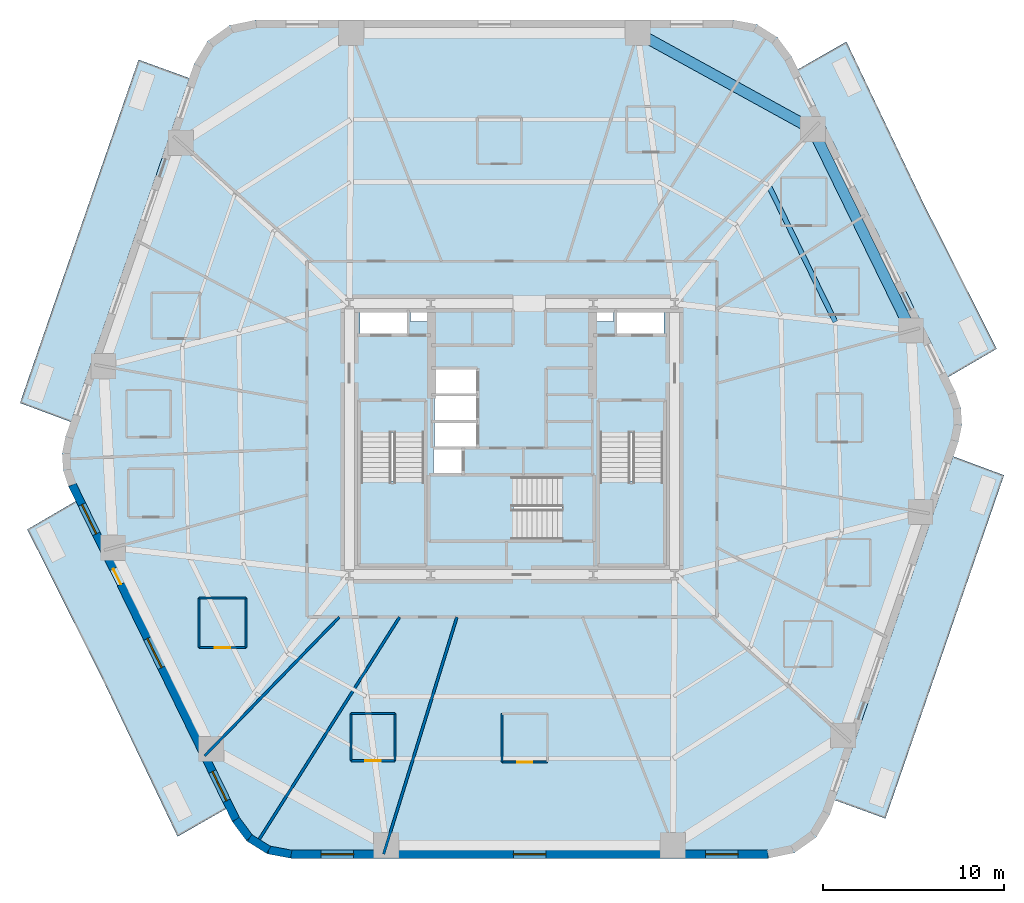
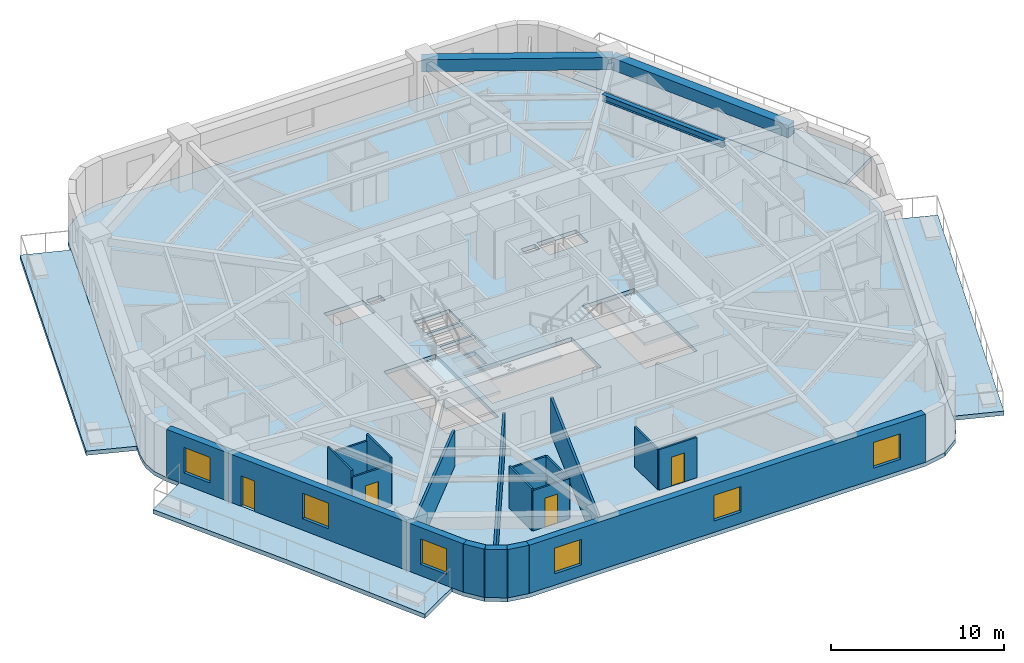
# One storey, part 2 of 10: 18 walls, 8 slabs, 6 windows, 4 doors, 3 beams, 10 openings, 3 elements without a shape of their own.
"""IFC4 building model written with IfcOpenShell, lengths in metres."""

from ifc_helpers import new_model, si_unit, direction, frame, frame_2d, origin, origin_2d, place, context, subcontext, project, spatial, polyline, rectangle, i_section, outline, extrude, material, layer, layer_set, material_profile, profile_set, type_object, element, fill, aggregate, save


model = new_model("IFC4")

# Units and contexts
model_context = context("Model", 3, precision=1e-05, world=origin(), true_north=direction((0.0, 1.0)))
body_context = subcontext(model_context, "Body", "Model", "MODEL_VIEW")
ifc_project = project(units=[si_unit("LENGTHUNIT", "METRE"), si_unit("AREAUNIT", "SQUARE_METRE"), si_unit("VOLUMEUNIT", "CUBIC_METRE"), si_unit("PLANEANGLEUNIT", "RADIAN"), si_unit("MASSUNIT", "GRAM", prefix="KILO")], contexts=[model_context])

# Site, building, storey
site_placement = place(None, origin())
site = spatial("IfcSite", under=ifc_project, at=site_placement, CompositionType="ELEMENT")
building_placement = place(site_placement, origin())
building = spatial("IfcBuilding", under=site, at=building_placement, Name="Kilnhurst Terrace Hotel", CompositionType="ELEMENT")
storey_placement = place(building_placement, frame((0.0, 0.0, 78.60009765625)))
storey = spatial("IfcBuildingStorey", under=building, at=storey_placement, Name="L18", CompositionType="ELEMENT", Elevation=78.60009765625)

# Beams
ifc_material_1 = material(Name="Concrete C50/60", Category="concrete")
ifc_material_profile_1 = material_profile(ifc_material_1, rectangle(XDim=0.60009765625, YDim=0.85009765625, at=origin_2d()), Name="RC600X850")
ifc_profile_set_1 = profile_set([ifc_material_profile_1], Name="Concrete C50/60")
beam_type_1 = type_object("IfcBeamType", Name="BM-SPN-600X850", PredefinedType="SPANDREL", material=ifc_profile_set_1)
beam_1_placement = place(storey_placement, frame((22.083984375, 6.013916015625, 2.974853515625), z_axis=(-0.438922573627, 0.898524888003, 0.0), x_axis=(-0.898524888003, -0.438922573627, 0.0)))
element("IfcBeam", 1, at=beam_1_placement, inside=storey, type_object=beam_type_1, Name="L18 Perimeter Spandrel Beam 5", PredefinedType="SPANDREL", context=body_context, shape_type="SweptSolid", body=[
    extrude(rectangle(XDim=0.60009765625, YDim=0.85009765625, at=origin_2d()), origin(), (0.0, 0.0, 1.0), 12.39599609375),
])
beam_2_placement = place(storey_placement, frame((16.64306640625, 17.152099609375, 2.974853515625), z_axis=(-0.876235488803, 0.481883147829, 0.0), x_axis=(-0.481883147829, -0.876235488803, 0.0)))
element("IfcBeam", 2, at=beam_2_placement, inside=storey, type_object=beam_type_1, Name="L18 Perimeter Spandrel Beam 6", PredefinedType="SPANDREL", context=body_context, shape_type="SweptSolid", body=[
    extrude(rectangle(XDim=0.60009765625, YDim=0.85009765625, at=origin_2d()), origin(), (0.0, 0.0, 1.0), 11.056396484375),
])
ifc_material_2 = material(Name="Steel ASTM A992 Grade 50", Category="steel")
ifc_material_profile_2 = material_profile(ifc_material_2, i_section(OverallWidth=0.279296875, OverallDepth=0.462890625, WebThickness=0.0107421875, FlangeThickness=0.017333984375, at=origin_2d()), Name="W18X76")
ifc_profile_set_2 = profile_set([ifc_material_profile_2], Name="Steel ASTM A992 Grade 50")
beam_type_2 = type_object("IfcBeamType", Name="JST-STL-W18X76", PredefinedType="JOIST", material=ifc_profile_set_2)
beam_3_placement = place(storey_placement, frame((17.897216796875, 6.489501953125, 3.16796875), z_axis=(-0.438934275949, 0.898519171413, 0.0), x_axis=(-0.898519171413, -0.438934275949, 0.0)))
element("IfcBeam", 3, at=beam_3_placement, inside=storey, type_object=beam_type_2, Name="L18 Secondary Floor Steel Joist OUT.5", PredefinedType="JOIST", context=body_context, shape_type="SweptSolid", body=[
    extrude(i_section(OverallWidth=0.279296875, OverallDepth=0.462890625, WebThickness=0.0107421875, FlangeThickness=0.017333984375, at=origin_2d()), origin(), (0.0, 0.0, 1.0), 8.429443359375),
])

# Slabs
ifc_layer_1 = layer(ifc_material_1, 0.300048828125, Name="Concrete C50/60")
ifc_layer_set_1 = layer_set([ifc_layer_1], Name="Concrete C50/60")
slab_type_1 = type_object("IfcSlabType", Name="SLB-BAL-300", PredefinedType="FLOOR", material=ifc_layer_set_1)
slab_1_placement = place(storey_placement, frame((0.0, 0.0, -0.300048828125)))
element("IfcSlab", 4, at=slab_1_placement, inside=storey, type_object=slab_type_1, Name="L18 Cantilevered Planted Terrace Slab BAL-L1A", PredefinedType="FLOOR", context=body_context, shape_type="SweptSolid", body=[
    extrude(outline(polyline([(23.98046875, -11.4296875), (20.670166015625, -21.0), (17.84912109375, -19.975341796875), (24.410888671875, -0.9501953125), (27.23388671875, -2.0), (23.98046875, -11.4296875)])), origin(), (0.0, 0.0, 1.0), 0.300048828125),
])
slab_2_placement = place(storey_placement, frame((0.0, 0.0, -0.300048828125)))
element("IfcSlab", 5, at=slab_2_placement, inside=storey, type_object=slab_type_1, Name="L18 Cantilevered Planted Terrace Slab BAL-L1B", PredefinedType="FLOOR", context=body_context, shape_type="SweptSolid", body=[
    extrude(outline(polyline([(26.830810546875, 5.0), (24.128662109375, 3.42333984375), (15.809814453125, 20.452880859375), (18.509521484375, 22.0), (22.697021484375, 13.21142578125), (26.830810546875, 5.0)])), origin(), (0.0, 0.0, 1.0), 0.300048828125),
])
slab_3_placement = place(storey_placement, frame((0.0, 0.0, -0.300048828125)))
element("IfcSlab", 6, at=slab_3_placement, inside=storey, type_object=slab_type_1, Name="L18 Cantilevered Planted Terrace Slab BAL-L2A", PredefinedType="FLOOR", context=body_context, shape_type="SweptSolid", body=[
    extrude(outline(polyline([(-20.670166015625, 21.0), (-17.84912109375, 19.975341796875), (-24.410888671875, 0.9501953125), (-27.23388671875, 2.0), (-23.98046875, 11.4296875), (-20.670166015625, 21.0)])), origin(), (0.0, 0.0, 1.0), 0.300048828125),
])
slab_4_placement = place(storey_placement, frame((0.0, 0.0, -0.300048828125)))
element("IfcSlab", 7, at=slab_4_placement, inside=storey, type_object=slab_type_1, Name="L18 Cantilevered Planted Terrace Slab BAL-L2B", PredefinedType="FLOOR", context=body_context, shape_type="SweptSolid", body=[
    extrude(outline(polyline([(-26.830810546875, -5.0), (-24.128662109375, -3.42333984375), (-15.809814453125, -20.452880859375), (-18.509521484375, -22.0), (-22.697021484375, -13.21142578125), (-26.830810546875, -5.0)])), origin(), (0.0, 0.0, 1.0), 0.300048828125),
])
ifc_layer_2 = layer(ifc_material_1, 0.280029296875, Name="Concrete C50/60")
ifc_layer_set_2 = layer_set([ifc_layer_2], Name="Concrete C50/60")
slab_type_2 = type_object("IfcSlabType", Name="SLB-FLR-280", PredefinedType="FLOOR", material=ifc_layer_set_2)
slab_5_placement = place(storey_placement, frame((0.0, 0.0, -0.280029296875)))
element("IfcSlab", 8, at=slab_5_placement, inside=storey, type_object=slab_type_2, Name="L18 Structural Floor Slab", PredefinedType="FLOOR", context=body_context, shape_type="SweptSolid", body=[
    extrude(outline(polyline([(-15.476806640625, -21.18017578125), (-14.680908203125, -22.248046875), (-13.551025390625, -22.95361328125), (-12.241943359375, -23.199951171875), (14.191650390625, -23.199951171875), (15.635986328125, -22.8974609375), (16.837890625, -22.040771484375), (17.5947265625, -20.773681640625), (24.712890625, -0.135986328125), (24.90087890625, 0.7861328125), (24.843505859375, 1.7255859375), (24.54443359375, 2.617919921875), (15.476806640625, 21.18017578125), (14.680908203125, 22.248046875), (13.551025390625, 22.95361328125), (12.241943359375, 23.199951171875), (-14.191650390625, 23.199951171875), (-15.635986328125, 22.8974609375), (-16.837890625, 22.040771484375), (-17.5947265625, 20.773681640625), (-24.712890625, 0.135986328125), (-24.90087890625, -0.7861328125), (-24.843505859375, -1.7255859375), (-24.54443359375, -2.617919921875), (-15.476806640625, -21.18017578125)]), holes=[polyline([(-8.35009765625, 0.35498046875), (-4.8798828125, 0.35498046875), (-4.8798828125, -6.89990234375), (-8.35009765625, -6.89990234375), (-8.35009765625, 0.35498046875)]), polyline([(-2.800048828125, -1.89990234375), (-4.35009765625, -1.89990234375), (-4.35009765625, -0.550048828125), (-2.800048828125, -0.550048828125), (-2.800048828125, -1.89990234375)]), polyline([(-1.949951171875, -0.429931640625), (-4.300048828125, -0.429931640625), (-4.300048828125, 0.89990234375), (-1.949951171875, 0.89990234375), (-1.949951171875, -0.429931640625)]), polyline([(-4.300048828125, 1.050048828125), (-4.300048828125, 2.3798828125), (-1.949951171875, 2.3798828125), (-1.949951171875, 1.050048828125), (-4.300048828125, 1.050048828125)]), polyline([(-8.39990234375, 5.75), (-8.39990234375, 7.14990234375), (-5.800048828125, 7.14990234375), (-5.800048828125, 5.75), (-8.39990234375, 5.75)]), polyline([(-4.659912109375, 6.52001953125), (-5.6201171875, 6.52001953125), (-5.6201171875, 7.080078125), (-4.659912109375, 7.080078125), (-4.659912109375, 6.52001953125)]), polyline([(2.7548828125, -5.550048828125), (-4.5, -5.550048828125), (-4.5, -2.080078125), (2.7548828125, -2.080078125), (2.7548828125, -5.550048828125)]), polyline([(8.35009765625, 0.35498046875), (8.35009765625, -6.89990234375), (4.8798828125, -6.89990234375), (4.8798828125, 0.35498046875), (8.35009765625, 0.35498046875)]), polyline([(-1.949951171875, 2.530029296875), (-4.300048828125, 2.530029296875), (-4.300048828125, 3.860107421875), (-1.949951171875, 3.860107421875), (-1.949951171875, 2.530029296875)]), polyline([(5.800048828125, 5.75), (5.800048828125, 7.14990234375), (8.39990234375, 7.14990234375), (8.39990234375, 5.75), (5.800048828125, 5.75)]), polyline([(4.659912109375, 6.52001953125), (4.659912109375, 7.080078125), (5.6201171875, 7.080078125), (5.6201171875, 6.52001953125), (4.659912109375, 6.52001953125)])]), origin(), (0.0, 0.0, 1.0), 0.280029296875),
])

# Stair, slab
stair_type = type_object("IfcStairType", Name="STR-CORE-1660", PredefinedType="HALF_TURN_STAIR", material=ifc_material_1)
stair_1_placement = place(storey_placement, origin())
stair_1 = element("IfcStair", 9, at=stair_1_placement, inside=storey, type_object=stair_type, Name="L18 ST-1", PredefinedType="HALF_TURN_STAIR")
ifc_layer_3 = layer(ifc_material_1, 0.199951171875, Name="Concrete C50/60")
ifc_layer_set_3 = layer_set([ifc_layer_3], Name="Concrete C50/60")
slab_type_3 = type_object("IfcSlabType", Name="SLB-ST-LND-200", PredefinedType="LANDING", material=ifc_layer_set_3)
slab_6_placement = place(storey_placement, frame((0.0, 0.0, 1.64990234375)))
slab_6 = element("IfcSlab", 10, at=slab_6_placement, type_object=slab_type_3, Name="ST-1 landing 1", PredefinedType="LANDING", context=body_context, shape_type="SweptSolid", body=[
    extrude(outline(polyline([(-8.429931640625, -2.330078125), (-4.800048828125, -2.330078125), (-4.800048828125, -6.97998046875), (-8.429931640625, -6.97998046875), (-8.429931640625, -2.330078125)])), origin(), (0.0, 0.0, 1.0), 0.199951171875),
])
aggregate(stair_1, [slab_6])

stair_2_placement = place(storey_placement, origin())
stair_2 = element("IfcStair", 11, at=stair_2_placement, inside=storey, type_object=stair_type, Name="L18 ST-2", PredefinedType="HALF_TURN_STAIR")
slab_7_placement = place(storey_placement, frame((0.0, 0.0, 1.64990234375)))
slab_7 = element("IfcSlab", 12, at=slab_7_placement, type_object=slab_type_3, Name="ST-2 landing 1", PredefinedType="LANDING", context=body_context, shape_type="SweptSolid", body=[
    extrude(outline(polyline([(4.800048828125, -2.330078125), (8.429931640625, -2.330078125), (8.429931640625, -6.97998046875), (4.800048828125, -6.97998046875), (4.800048828125, -2.330078125)])), origin(), (0.0, 0.0, 1.0), 0.199951171875),
])
aggregate(stair_2, [slab_7])

stair_3_placement = place(storey_placement, origin())
stair_3 = element("IfcStair", 13, at=stair_3_placement, inside=storey, type_object=stair_type, Name="L18 ST-3", PredefinedType="HALF_TURN_STAIR")
slab_8_placement = place(storey_placement, frame((0.0, 0.0, 1.64990234375)))
slab_8 = element("IfcSlab", 14, at=slab_8_placement, type_object=slab_type_3, Name="ST-3 landing 1", PredefinedType="LANDING", context=body_context, shape_type="SweptSolid", body=[
    extrude(outline(polyline([(0.070068359375, -2.0), (0.070068359375, -5.6298828125), (-4.580078125, -5.6298828125), (-4.580078125, -2.0), (0.070068359375, -2.0)])), origin(), (0.0, 0.0, 1.0), 0.199951171875),
])
aggregate(stair_3, [slab_8])

# Walls
ifc_material_3 = material(Name="Precast concrete C40/50", Category="concrete")
ifc_layer_4 = layer(ifc_material_3, 0.449951171875, Name="Precast concrete C40/50")
ifc_layer_set_4 = layer_set([ifc_layer_4], Name="Precast concrete C40/50")
wall_type_1 = type_object("IfcWallType", Name="WL-BRK-450", PredefinedType="SOLIDWALL", material=ifc_layer_set_4)
wall_1_placement = place(storey_placement, frame((-15.28369140625, -21.0625, 0.0), z_axis=(0.0, 0.0, 1.0), x_axis=(0.597595366449, -0.801797841104, 0.0)))
element("IfcWall", 15, at=wall_1_placement, inside=storey, type_object=wall_type_1, Name="L18 Rounded Corner Brick Wall C1.1", PredefinedType="SOLIDWALL", context=body_context, shape_type="SweptSolid", body=[
    extrude(rectangle(XDim=1.2685546875, YDim=0.449951171875, at=frame_2d((0.63427734375, 0.0))), origin(), (0.0, 0.0, 1.0), 3.39990234375),
])
wall_2_placement = place(storey_placement, frame((-14.525634765625, -22.07958984375, 0.0), z_axis=(0.0, 0.0, 1.0), x_axis=(0.848185203596, -0.529699783275, 0.0)))
element("IfcWall", 16, at=wall_2_placement, inside=storey, type_object=wall_type_1, Name="L18 Rounded Corner Brick Wall C1.2", PredefinedType="SOLIDWALL", context=body_context, shape_type="SweptSolid", body=[
    extrude(rectangle(XDim=1.247314453125, YDim=0.449951171875, at=frame_2d((0.62353515625, 0.0))), origin(), (0.0, 0.0, 1.0), 3.39990234375),
])
wall_3_placement = place(storey_placement, frame((-13.4677734375, -22.740234375, 0.0), z_axis=(0.0, 0.0, 1.0), x_axis=(0.982717174228, -0.185113358451, 0.0)))
element("IfcWall", 17, at=wall_3_placement, inside=storey, type_object=wall_type_1, Name="L18 Rounded Corner Brick Wall C1.3", PredefinedType="SOLIDWALL", context=body_context, shape_type="SweptSolid", body=[
    extrude(rectangle(XDim=1.268798828125, YDim=0.449951171875, at=frame_2d((0.63427734375, 0.0))), origin(), (0.0, 0.0, 1.0), 3.39990234375),
])

# Wall, openings, windows
wall_4_placement = place(storey_placement, frame((-12.220947265625, -22.97509765625, 0.0), z_axis=(0.0, 0.0, 1.0), x_axis=(1.0, 0.0, 0.0)))
wall_4 = element("IfcWall", 18, at=wall_4_placement, inside=storey, type_object=wall_type_1, Name="L18 Exterior Brick Facade Wall F1", PredefinedType="SOLIDWALL", context=body_context, shape_type="SweptSolid", body=[
    extrude(rectangle(XDim=26.38916015625, YDim=0.449951171875, at=frame_2d((13.194580078125, 0.0))), origin(), (0.0, 0.0, 1.0), 3.39990234375),
])
opening_1_placement = place(wall_4_placement, frame((1.653076171875, 0.0, 0.800048828125)))
opening_1 = element("IfcOpeningElement", 19, at=opening_1_placement, cuts=wall_4, Name="Opening W-01", PredefinedType="OPENING", context=body_context, shape_type="SweptSolid", body=[
    extrude(rectangle(XDim=1.800048828125, YDim=1.800048828125, at=frame_2d((0.89990234375, 0.89990234375))), frame((0.0, 0.23486328125, 0.0), z_axis=(0.0, -1.0, 0.0), x_axis=(1.0, 0.0, 0.0)), (0.0, 0.0, 1.0), 0.469970703125),
])
opening_2_placement = place(wall_4_placement, frame((12.2958984375, 0.0, 0.800048828125)))
opening_2 = element("IfcOpeningElement", 20, at=opening_2_placement, cuts=wall_4, Name="Opening W-01", PredefinedType="OPENING", context=body_context, shape_type="SweptSolid", body=[
    extrude(rectangle(XDim=1.800048828125, YDim=1.800048828125, at=frame_2d((0.89990234375, 0.89990234375))), frame((0.0, 0.23486328125, 0.0), z_axis=(0.0, -1.0, 0.0), x_axis=(1.0, 0.0, 0.0)), (0.0, 0.0, 1.0), 0.469970703125),
])
opening_3_placement = place(wall_4_placement, frame((22.93798828125, 0.0, 0.800048828125)))
opening_3 = element("IfcOpeningElement", 21, at=opening_3_placement, cuts=wall_4, Name="Opening W-01", PredefinedType="OPENING", context=body_context, shape_type="SweptSolid", body=[
    extrude(rectangle(XDim=1.800048828125, YDim=1.800048828125, at=frame_2d((0.89990234375, 0.89990234375))), frame((0.0, 0.23486328125, 0.0), z_axis=(0.0, -1.0, 0.0), x_axis=(1.0, 0.0, 0.0)), (0.0, 0.0, 1.0), 0.469970703125),
])
ifc_material_4 = material(Name="Thermally Broken Bronze Aluminium Alloy 6063-T6 and Low-E Glass", Category="aluminium")
window_type = type_object("IfcWindowType", Name="WIN-1800X1800", PartitioningType="SINGLE_PANEL", PredefinedType="WINDOW", material=ifc_material_4)
window_1_placement = place(opening_1_placement, origin())
window_1 = element("IfcWindow", 22, at=window_1_placement, inside=storey, type_object=window_type, Name="L18 Deep-Set Masonry Window F1.1", OverallHeight=1.800048828125, OverallWidth=1.800048828125, PartitioningType="SINGLE_PANEL", PredefinedType="WINDOW", context=body_context, shape_type="SweptSolid", body=[
    extrude(rectangle(XDim=1.800048828125, YDim=1.800048828125, at=frame_2d((0.89990234375, 0.89990234375))), frame((0.0, 0.030029296875, 0.0), z_axis=(0.0, -1.0, 0.0), x_axis=(1.0, 0.0, 0.0)), (0.0, 0.0, 1.0), 0.06005859375),
])
fill(opening_1, window_1)
window_2_placement = place(opening_2_placement, origin())
window_2 = element("IfcWindow", 23, at=window_2_placement, inside=storey, type_object=window_type, Name="L18 Deep-Set Masonry Window F1.2", OverallHeight=1.800048828125, OverallWidth=1.800048828125, PartitioningType="SINGLE_PANEL", PredefinedType="WINDOW", context=body_context, shape_type="SweptSolid", body=[
    extrude(rectangle(XDim=1.800048828125, YDim=1.800048828125, at=frame_2d((0.89990234375, 0.89990234375))), frame((0.0, 0.030029296875, 0.0), z_axis=(0.0, -1.0, 0.0), x_axis=(1.0, 0.0, 0.0)), (0.0, 0.0, 1.0), 0.06005859375),
])
fill(opening_2, window_2)
window_3_placement = place(opening_3_placement, origin())
window_3 = element("IfcWindow", 24, at=window_3_placement, inside=storey, type_object=window_type, Name="L18 Deep-Set Masonry Window F1.3", OverallHeight=1.800048828125, OverallWidth=1.800048828125, PartitioningType="SINGLE_PANEL", PredefinedType="WINDOW", context=body_context, shape_type="SweptSolid", body=[
    extrude(rectangle(XDim=1.800048828125, YDim=1.800048828125, at=frame_2d((0.89990234375, 0.89990234375))), frame((0.0, 0.030029296875, 0.0), z_axis=(0.0, -1.0, 0.0), x_axis=(1.0, 0.0, 0.0)), (0.0, 0.0, 1.0), 0.06005859375),
])
fill(opening_3, window_3)

# Wall, openings, door, windows
wall_5_placement = place(storey_placement, frame((-24.335693359375, -2.532470703125, 0.0), z_axis=(0.0, 0.0, 1.0), x_axis=(0.438931326393, -0.898520612291, 0.0)))
wall_5 = element("IfcWall", 25, at=wall_5_placement, inside=storey, type_object=wall_type_1, Name="L18 Exterior Brick Facade Wall F6", PredefinedType="SOLIDWALL", context=body_context, shape_type="SweptSolid", body=[
    extrude(rectangle(XDim=20.622802734375, YDim=0.449951171875, at=frame_2d((10.3115234375, 0.0))), origin(), (0.0, 0.0, 1.0), 3.39990234375),
])
opening_4_placement = place(wall_5_placement, frame((5.1708984375, 0.0, 0.0)))
opening_4 = element("IfcOpeningElement", 26, at=opening_4_placement, cuts=wall_5, Name="Opening BD-950", PredefinedType="OPENING", context=body_context, shape_type="SweptSolid", body=[
    extrude(rectangle(XDim=0.949951171875, YDim=2.14990234375, at=frame_2d((0.47509765625, 1.074951171875))), frame((0.0, 0.23486328125, 0.0), z_axis=(0.0, -1.0, 0.0), x_axis=(1.0, 0.0, 0.0)), (0.0, 0.0, 1.0), 0.469970703125),
])
opening_5_placement = place(wall_5_placement, frame((1.214111328125, 0.0, 0.800048828125)))
opening_5 = element("IfcOpeningElement", 27, at=opening_5_placement, cuts=wall_5, Name="Opening W-01", PredefinedType="OPENING", context=body_context, shape_type="SweptSolid", body=[
    extrude(rectangle(XDim=1.800048828125, YDim=1.800048828125, at=frame_2d((0.89990234375, 0.89990234375))), frame((0.0, 0.23486328125, 0.0), z_axis=(0.0, -1.0, 0.0), x_axis=(1.0, 0.0, 0.0)), (0.0, 0.0, 1.0), 0.469970703125),
])
opening_6_placement = place(wall_5_placement, frame((9.4619140625, 0.0, 0.800048828125)))
opening_6 = element("IfcOpeningElement", 28, at=opening_6_placement, cuts=wall_5, Name="Opening W-01", PredefinedType="OPENING", context=body_context, shape_type="SweptSolid", body=[
    extrude(rectangle(XDim=1.800048828125, YDim=1.800048828125, at=frame_2d((0.89990234375, 0.89990234375))), frame((0.0, 0.23486328125, 0.0), z_axis=(0.0, -1.0, 0.0), x_axis=(1.0, 0.0, 0.0)), (0.0, 0.0, 1.0), 0.469970703125),
])
opening_7_placement = place(wall_5_placement, frame((17.659912109375, 0.0, 0.800048828125)))
opening_7 = element("IfcOpeningElement", 29, at=opening_7_placement, cuts=wall_5, Name="Opening W-01", PredefinedType="OPENING", context=body_context, shape_type="SweptSolid", body=[
    extrude(rectangle(XDim=1.800048828125, YDim=1.800048828125, at=frame_2d((0.89990234375, 0.89990234375))), frame((0.0, 0.23486328125, 0.0), z_axis=(0.0, -1.0, 0.0), x_axis=(1.0, 0.0, 0.0)), (0.0, 0.0, 1.0), 0.469970703125),
])
ifc_material_5 = material(Name="Thermally Broken Bronze Aluminium Alloy 6063-T6 and Laminated Glass", Category="aluminium")
door_type_1 = type_object("IfcDoorType", Name="DR-EXT-BAL-950", OperationType="NOTDEFINED", PredefinedType="DOOR", material=ifc_material_5)
door_1_placement = place(opening_4_placement, origin())
door_1 = element("IfcDoor", 30, at=door_1_placement, inside=storey, type_object=door_type_1, Name="L18 Planted Balcony Door BAL-L2B", OperationType="SINGLE_SWING_RIGHT", OverallHeight=2.14990234375, OverallWidth=0.949951171875, PredefinedType="DOOR", context=body_context, shape_type="SweptSolid", body=[
    extrude(rectangle(XDim=0.949951171875, YDim=2.14990234375, at=frame_2d((0.47509765625, 1.074951171875))), frame((0.0, 0.02490234375, 0.0), z_axis=(0.0, -1.0, 0.0), x_axis=(1.0, 0.0, 0.0)), (0.0, 0.0, 1.0), 0.050048828125),
])
fill(opening_4, door_1)
window_4_placement = place(opening_5_placement, origin())
window_4 = element("IfcWindow", 31, at=window_4_placement, inside=storey, type_object=window_type, Name="L18 Deep-Set Masonry Window F6.1", OverallHeight=1.800048828125, OverallWidth=1.800048828125, PartitioningType="SINGLE_PANEL", PredefinedType="WINDOW", context=body_context, shape_type="SweptSolid", body=[
    extrude(rectangle(XDim=1.800048828125, YDim=1.800048828125, at=frame_2d((0.89990234375, 0.89990234375))), frame((0.0, 0.030029296875, 0.0), z_axis=(0.0, -1.0, 0.0), x_axis=(1.0, 0.0, 0.0)), (0.0, 0.0, 1.0), 0.06005859375),
])
fill(opening_5, window_4)
window_5_placement = place(opening_6_placement, origin())
window_5 = element("IfcWindow", 32, at=window_5_placement, inside=storey, type_object=window_type, Name="L18 Deep-Set Masonry Window F6.2", OverallHeight=1.800048828125, OverallWidth=1.800048828125, PartitioningType="SINGLE_PANEL", PredefinedType="WINDOW", context=body_context, shape_type="SweptSolid", body=[
    extrude(rectangle(XDim=1.800048828125, YDim=1.800048828125, at=frame_2d((0.89990234375, 0.89990234375))), frame((0.0, 0.030029296875, 0.0), z_axis=(0.0, -1.0, 0.0), x_axis=(1.0, 0.0, 0.0)), (0.0, 0.0, 1.0), 0.06005859375),
])
fill(opening_6, window_5)
window_6_placement = place(opening_7_placement, origin())
window_6 = element("IfcWindow", 33, at=window_6_placement, inside=storey, type_object=window_type, Name="L18 Deep-Set Masonry Window F6.3", OverallHeight=1.800048828125, OverallWidth=1.800048828125, PartitioningType="SINGLE_PANEL", PredefinedType="WINDOW", context=body_context, shape_type="SweptSolid", body=[
    extrude(rectangle(XDim=1.800048828125, YDim=1.800048828125, at=frame_2d((0.89990234375, 0.89990234375))), frame((0.0, 0.030029296875, 0.0), z_axis=(0.0, -1.0, 0.0), x_axis=(1.0, 0.0, 0.0)), (0.0, 0.0, 1.0), 0.06005859375),
])
fill(opening_7, window_6)

# Walls
ifc_material_6 = material(Name="STC-58 Acoustic Twin-Frame Guestroom Demising Partition")
ifc_layer_5 = layer(ifc_material_6, 0.14990234375, Name="STC-58 Acoustic Twin-Frame Guestroom Demising Partition")
ifc_layer_set_5 = layer_set([ifc_layer_5], Name="STC-58 Acoustic Twin-Frame Guestroom Demising Partition")
wall_type_2 = type_object("IfcWallType", Name="WL-DEM-150", PredefinedType="PARTITIONING", material=ifc_layer_set_5)
wall_6_placement = place(storey_placement, frame((-9.5576171875, -9.85009765625, 0.0), z_axis=(0.0, 0.0, 1.0), x_axis=(-0.69638346089, -0.717669893056, 0.0)))
element("IfcWall", 34, at=wall_6_placement, inside=storey, type_object=wall_type_2, Name="L18 Interior Wall WL-L18-DEM-COL08-12-1", PredefinedType="PARTITIONING", context=body_context, shape_type="SweptSolid", body=[
    extrude(rectangle(XDim=10.700927734375, YDim=0.14990234375, at=frame_2d((5.3505859375, 0.0))), origin(), (0.0, 0.0, 1.0), 2.539794921875),
])
wall_7_placement = place(storey_placement, frame((-6.222412109375, -9.85009765625, 0.0), z_axis=(0.0, 0.0, 1.0), x_axis=(-0.534069056435, -0.845440857162, 0.0)))
element("IfcWall", 35, at=wall_7_placement, inside=storey, type_object=wall_type_2, Name="L18 Interior Wall WL-L18-DEM-MID08-13-1", PredefinedType="PARTITIONING", context=body_context, shape_type="SweptSolid", body=[
    extrude(rectangle(XDim=14.611328125, YDim=0.14990234375, at=frame_2d((7.3056640625, 0.0))), origin(), (0.0, 0.0, 1.0), 2.539794921875),
])
wall_8_placement = place(storey_placement, frame((-3.047607421875, -9.85009765625, 0.0), z_axis=(0.0, 0.0, 1.0), x_axis=(-0.295553992761, -0.955326037206, 0.0)))
element("IfcWall", 36, at=wall_8_placement, inside=storey, type_object=wall_type_2, Name="L18 Interior Wall WL-L18-DEM-COL09-14-1", PredefinedType="PARTITIONING", context=body_context, shape_type="SweptSolid", body=[
    extrude(rectangle(XDim=13.73876953125, YDim=0.14990234375, at=frame_2d((6.869384765625, 0.0))), origin(), (0.0, 0.0, 1.0), 2.539794921875),
])

# Wall, opening, door
ifc_material_7 = material(Name="120 mm Moisture-Resistant Tile-Backed Bathroom Partition")
ifc_layer_6 = layer(ifc_material_7, 0.1201171875, Name="120 mm Moisture-Resistant Tile-Backed Bathroom Partition")
ifc_layer_set_6 = layer_set([ifc_layer_6], Name="120 mm Moisture-Resistant Tile-Backed Bathroom Partition")
wall_type_3 = type_object("IfcWallType", Name="WL-PART-120", PredefinedType="PARTITIONING", material=ifc_layer_set_6)
wall_9_placement = place(storey_placement, frame((-17.323974609375, -11.5400390625, 0.0), z_axis=(0.0, 0.0, 1.0), x_axis=(1.0, 0.0, 0.0)))
wall_9 = element("IfcWall", 37, at=wall_9_placement, inside=storey, type_object=wall_type_3, Name="L18 Interior Wall WL-L18-BTH-11-1", PredefinedType="PARTITIONING", context=body_context, shape_type="SweptSolid", body=[
    extrude(rectangle(XDim=2.599853515625, YDim=0.1201171875, at=frame_2d((1.2998046875, 0.0))), origin(), (0.0, 0.0, 1.0), 2.926513671875),
])
opening_8_placement = place(wall_9_placement, frame((0.875, 0.0, 0.0)))
opening_8 = element("IfcOpeningElement", 38, at=opening_8_placement, cuts=wall_9, Name="Opening D-08A", PredefinedType="OPENING", context=body_context, shape_type="SweptSolid", body=[
    extrude(rectangle(XDim=0.85009765625, YDim=2.030029296875, at=frame_2d((0.425048828125, 1.01513671875))), frame((0.0, 0.070068359375, 0.0), z_axis=(0.0, -1.0, 0.0), x_axis=(1.0, 0.0, 0.0)), (0.0, 0.0, 1.0), 0.14013671875),
])
ifc_material_8 = material(Name="Moisture-Resistant Lacquered En-suite Bathroom Door")
door_type_2 = type_object("IfcDoorType", Name="DR-INT-850", OperationType="NOTDEFINED", PredefinedType="DOOR", material=ifc_material_8)
door_2_placement = place(opening_8_placement, origin())
door_2 = element("IfcDoor", 39, at=door_2_placement, inside=storey, type_object=door_type_2, Name="L18 En-suite Bathroom Door 11", OperationType="SINGLE_SWING_RIGHT", OverallHeight=2.030029296875, OverallWidth=0.85009765625, PredefinedType="DOOR", context=body_context, shape_type="SweptSolid", body=[
    extrude(rectangle(XDim=0.85009765625, YDim=2.030029296875, at=frame_2d((0.425048828125, 1.01513671875))), frame((0.0, 0.02490234375, 0.0), z_axis=(0.0, -1.0, 0.0), x_axis=(1.0, 0.0, 0.0)), (0.0, 0.0, 1.0), 0.050048828125),
])
fill(opening_8, door_2)

# Walls
wall_10_placement = place(storey_placement, frame((-14.72412109375, -11.5400390625, 0.0), z_axis=(0.0, 0.0, 1.0), x_axis=(0.0, 1.0, 0.0)))
element("IfcWall", 40, at=wall_10_placement, inside=storey, type_object=wall_type_3, Name="L18 Interior Wall WL-L18-BTH-11-2", PredefinedType="PARTITIONING", context=body_context, shape_type="SweptSolid", body=[
    extrude(rectangle(XDim=2.75, YDim=0.1201171875, at=frame_2d((1.375, 0.0))), origin(), (0.0, 0.0, 1.0), 3.39990234375),
])
wall_11_placement = place(storey_placement, frame((-14.72412109375, -8.7900390625, 0.0), z_axis=(0.0, 0.0, 1.0), x_axis=(-1.0, 0.0, 0.0)))
element("IfcWall", 41, at=wall_11_placement, inside=storey, type_object=wall_type_3, Name="L18 Interior Wall WL-L18-BTH-11-3", PredefinedType="PARTITIONING", context=body_context, shape_type="SweptSolid", body=[
    extrude(rectangle(XDim=2.599853515625, YDim=0.1201171875, at=frame_2d((1.2998046875, 0.0))), origin(), (0.0, 0.0, 1.0), 2.926513671875),
])
wall_12_placement = place(storey_placement, frame((-17.323974609375, -8.7900390625, 0.0), z_axis=(0.0, 0.0, 1.0), x_axis=(0.0, -1.0, 0.0)))
element("IfcWall", 42, at=wall_12_placement, inside=storey, type_object=wall_type_3, Name="L18 Interior Wall WL-L18-BTH-11-4", PredefinedType="PARTITIONING", context=body_context, shape_type="SweptSolid", body=[
    extrude(rectangle(XDim=2.75, YDim=0.1201171875, at=frame_2d((1.375, 0.0))), origin(), (0.0, 0.0, 1.0), 3.39990234375),
])

# Wall, opening, door
wall_13_placement = place(storey_placement, frame((-8.910888671875, -17.802001953125, 0.0), z_axis=(0.0, 0.0, 1.0), x_axis=(1.0, 0.0, 0.0)))
wall_13 = element("IfcWall", 43, at=wall_13_placement, inside=storey, type_object=wall_type_3, Name="L18 Interior Wall WL-L18-BTH-13-1", PredefinedType="PARTITIONING", context=body_context, shape_type="SweptSolid", body=[
    extrude(rectangle(XDim=2.43994140625, YDim=0.1201171875, at=frame_2d((1.219970703125, 0.0))), origin(), (0.0, 0.0, 1.0), 2.83984375),
])
opening_9_placement = place(wall_13_placement, frame((0.794921875, 0.0, 0.0)))
opening_9 = element("IfcOpeningElement", 44, at=opening_9_placement, cuts=wall_13, Name="Opening D-08A", PredefinedType="OPENING", context=body_context, shape_type="SweptSolid", body=[
    extrude(rectangle(XDim=0.85009765625, YDim=2.030029296875, at=frame_2d((0.425048828125, 1.01513671875))), frame((0.0, 0.070068359375, 0.0), z_axis=(0.0, -1.0, 0.0), x_axis=(1.0, 0.0, 0.0)), (0.0, 0.0, 1.0), 0.14013671875),
])
door_3_placement = place(opening_9_placement, origin())
door_3 = element("IfcDoor", 45, at=door_3_placement, inside=storey, type_object=door_type_2, Name="L18 En-suite Bathroom Door 13", OperationType="SINGLE_SWING_RIGHT", OverallHeight=2.030029296875, OverallWidth=0.85009765625, PredefinedType="DOOR", context=body_context, shape_type="SweptSolid", body=[
    extrude(rectangle(XDim=0.85009765625, YDim=2.030029296875, at=frame_2d((0.425048828125, 1.01513671875))), frame((0.0, 0.02490234375, 0.0), z_axis=(0.0, -1.0, 0.0), x_axis=(1.0, 0.0, 0.0)), (0.0, 0.0, 1.0), 0.050048828125),
])
fill(opening_9, door_3)

# Walls
wall_14_placement = place(storey_placement, frame((-6.470947265625, -17.802001953125, 0.0), z_axis=(0.0, 0.0, 1.0), x_axis=(0.0, 1.0, 0.0)))
element("IfcWall", 46, at=wall_14_placement, inside=storey, type_object=wall_type_3, Name="L18 Interior Wall WL-L18-BTH-13-2", PredefinedType="PARTITIONING", context=body_context, shape_type="SweptSolid", body=[
    extrude(rectangle(XDim=2.610107421875, YDim=0.1201171875, at=frame_2d((1.30517578125, 0.0))), origin(), (0.0, 0.0, 1.0), 2.84033203125),
])
wall_15_placement = place(storey_placement, frame((-6.470947265625, -15.19189453125, 0.0), z_axis=(0.0, 0.0, 1.0), x_axis=(-1.0, 0.0, 0.0)))
element("IfcWall", 47, at=wall_15_placement, inside=storey, type_object=wall_type_3, Name="L18 Interior Wall WL-L18-BTH-13-3", PredefinedType="PARTITIONING", context=body_context, shape_type="SweptSolid", body=[
    extrude(rectangle(XDim=2.43994140625, YDim=0.1201171875, at=frame_2d((1.219970703125, 0.0))), origin(), (0.0, 0.0, 1.0), 2.83984375),
])
wall_16_placement = place(storey_placement, frame((-8.910888671875, -15.19189453125, 0.0), z_axis=(0.0, 0.0, 1.0), x_axis=(0.0, -1.0, 0.0)))
element("IfcWall", 48, at=wall_16_placement, inside=storey, type_object=wall_type_3, Name="L18 Interior Wall WL-L18-BTH-13-4", PredefinedType="PARTITIONING", context=body_context, shape_type="SweptSolid", body=[
    extrude(rectangle(XDim=2.610107421875, YDim=0.1201171875, at=frame_2d((1.30517578125, 0.0))), origin(), (0.0, 0.0, 1.0), 2.97216796875),
])

# Wall, opening, door
wall_17_placement = place(storey_placement, frame((-0.55810546875, -17.876953125, 0.0), z_axis=(0.0, 0.0, 1.0), x_axis=(1.0, 0.0, 0.0)))
wall_17 = element("IfcWall", 49, at=wall_17_placement, inside=storey, type_object=wall_type_3, Name="L18 Interior Wall WL-L18-BTH-14-1", PredefinedType="PARTITIONING", context=body_context, shape_type="SweptSolid", body=[
    extrude(rectangle(XDim=2.52001953125, YDim=0.1201171875, at=frame_2d((1.260009765625, 0.0))), origin(), (0.0, 0.0, 1.0), 2.84033203125),
])
opening_10_placement = place(wall_17_placement, frame((0.8349609375, 0.0, 0.0)))
opening_10 = element("IfcOpeningElement", 50, at=opening_10_placement, cuts=wall_17, Name="Opening D-08A", PredefinedType="OPENING", context=body_context, shape_type="SweptSolid", body=[
    extrude(rectangle(XDim=0.85009765625, YDim=2.030029296875, at=frame_2d((0.425048828125, 1.01513671875))), frame((0.0, 0.070068359375, 0.0), z_axis=(0.0, -1.0, 0.0), x_axis=(1.0, 0.0, 0.0)), (0.0, 0.0, 1.0), 0.14013671875),
])
door_4_placement = place(opening_10_placement, origin())
door_4 = element("IfcDoor", 51, at=door_4_placement, inside=storey, type_object=door_type_2, Name="L18 En-suite Bathroom Door 14", OperationType="SINGLE_SWING_LEFT", OverallHeight=2.030029296875, OverallWidth=0.85009765625, PredefinedType="DOOR", context=body_context, shape_type="SweptSolid", body=[
    extrude(rectangle(XDim=0.85009765625, YDim=2.030029296875, at=frame_2d((0.425048828125, 1.01513671875))), frame((0.0, 0.02490234375, 0.0), z_axis=(0.0, -1.0, 0.0), x_axis=(1.0, 0.0, 0.0)), (0.0, 0.0, 1.0), 0.050048828125),
])
fill(opening_10, door_4)

# Wall
wall_18_placement = place(storey_placement, frame((-0.55810546875, -15.197021484375, 0.0), z_axis=(0.0, 0.0, 1.0), x_axis=(0.0, -1.0, 0.0)))
element("IfcWall", 52, at=wall_18_placement, inside=storey, type_object=wall_type_3, Name="L18 Interior Wall WL-L18-BTH-14-4", PredefinedType="PARTITIONING", context=body_context, shape_type="SweptSolid", body=[
    extrude(rectangle(XDim=2.679931640625, YDim=0.1201171875, at=frame_2d((1.33984375, 0.0))), origin(), (0.0, 0.0, 1.0), 2.84033203125),
])

save(model, "model.ifc")
